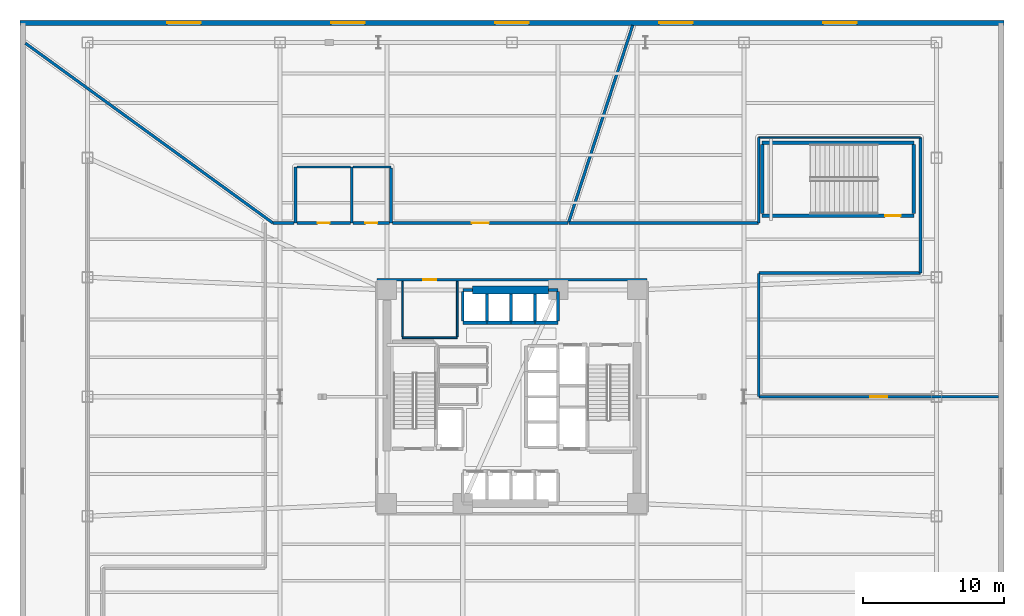
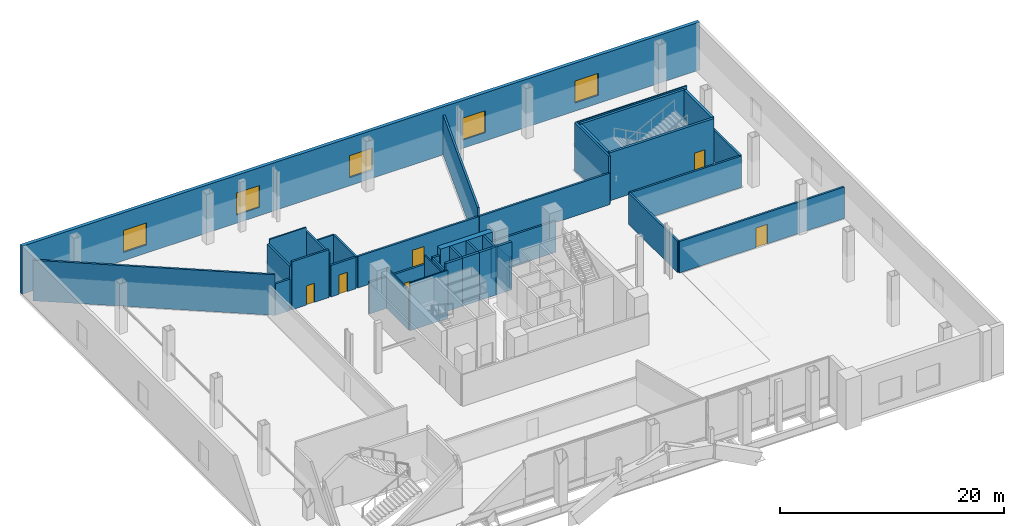
# One storey, part 10 of 19: 39 walls, 6 doors, 5 windows, 11 openings.
"""IFC4 building model written with IfcOpenShell, lengths in metres."""

from ifc_helpers import new_model, si_unit, direction, frame, frame_2d, origin, place, context, subcontext, project, spatial, rectangle, extrude, material, layer, layer_set, type_object, element, fill, save


model = new_model("IFC4")

# Units and contexts
model_context = context("Model", 3, precision=1e-05, world=origin(), true_north=direction((0.0, 1.0)))
body_context = subcontext(model_context, "Body", "Model", "MODEL_VIEW")
ifc_project = project(units=[si_unit("LENGTHUNIT", "METRE"), si_unit("AREAUNIT", "SQUARE_METRE"), si_unit("VOLUMEUNIT", "CUBIC_METRE"), si_unit("PLANEANGLEUNIT", "RADIAN"), si_unit("MASSUNIT", "GRAM", prefix="KILO")], contexts=[model_context])

# Site, building, storey
site_placement = place(None, origin())
site = spatial("IfcSite", under=ifc_project, at=site_placement, CompositionType="ELEMENT")
building_placement = place(site_placement, origin())
building = spatial("IfcBuilding", under=site, at=building_placement, Name="Tharavind Bronze Gate", CompositionType="ELEMENT")
storey_placement = place(building_placement, frame((0.0, 0.0, 11.0)))
storey = spatial("IfcBuildingStorey", under=building, at=storey_placement, Name="L02", CompositionType="ELEMENT", Elevation=11.0)

# Wall, openings, windows
ifc_material_1 = material(Name="Concrete C40/50", Category="concrete")
ifc_layer_1 = layer(ifc_material_1, 0.35009765625)
ifc_layer_set_1 = layer_set([ifc_layer_1], Name="Concrete C40/50")
wall_type_1 = type_object("IfcWallType", Name="EXTERIOR SPANDREL WALL 350", PredefinedType="STANDARD", material=ifc_layer_set_1)
wall_1_placement = place(storey_placement, frame((35.0, 26.60009765625, 0.0), z_axis=(0.0, 0.0, 1.0), x_axis=(-1.0, 0.0, 0.0)))
wall_1 = element("IfcWall", 1, at=wall_1_placement, inside=storey, type_object=wall_type_1, Name="L02 podium north facade wall", PredefinedType="STANDARD", context=body_context, shape_type="SweptSolid", body=[
    extrude(rectangle(XDim=70.0, YDim=0.35009765625, at=frame_2d((35.0, 0.0))), origin(), (0.0, 0.0, 1.0), 5.239990234375),
])
opening_1_placement = place(wall_1_placement, frame((10.467041015625, 0.0, 0.89990234375)))
opening_1 = element("IfcOpeningElement", 2, at=opening_1_placement, cuts=wall_1, Name="Opening W03", PredefinedType="OPENING", context=body_context, shape_type="SweptSolid", body=[
    extrude(rectangle(XDim=2.39990234375, YDim=2.39990234375, at=frame_2d((1.199951171875, 1.199951171875))), frame((0.0, 0.185048828125, 0.0), z_axis=(0.0, -1.0, 0.0), x_axis=(1.0, 0.0, 0.0)), (0.0, 0.0, 1.0), 0.37009765625),
])
opening_2_placement = place(wall_1_placement, frame((22.133056640625, 0.0, 0.89990234375)))
opening_2 = element("IfcOpeningElement", 3, at=opening_2_placement, cuts=wall_1, Name="Opening W03", PredefinedType="OPENING", context=body_context, shape_type="SweptSolid", body=[
    extrude(rectangle(XDim=2.39990234375, YDim=2.39990234375, at=frame_2d((1.199951171875, 1.199951171875))), frame((0.0, 0.185048828125, 0.0), z_axis=(0.0, -1.0, 0.0), x_axis=(1.0, 0.0, 0.0)), (0.0, 0.0, 1.0), 0.37009765625),
])
opening_3_placement = place(wall_1_placement, frame((33.800048828125, 0.0, 0.89990234375)))
opening_3 = element("IfcOpeningElement", 4, at=opening_3_placement, cuts=wall_1, Name="Opening W03", PredefinedType="OPENING", context=body_context, shape_type="SweptSolid", body=[
    extrude(rectangle(XDim=2.39990234375, YDim=2.39990234375, at=frame_2d((1.199951171875, 1.199951171875))), frame((0.0, 0.185048828125, 0.0), z_axis=(0.0, -1.0, 0.0), x_axis=(1.0, 0.0, 0.0)), (0.0, 0.0, 1.0), 0.37009765625),
])
opening_4_placement = place(wall_1_placement, frame((45.467041015625, 0.0, 0.89990234375)))
opening_4 = element("IfcOpeningElement", 5, at=opening_4_placement, cuts=wall_1, Name="Opening W03", PredefinedType="OPENING", context=body_context, shape_type="SweptSolid", body=[
    extrude(rectangle(XDim=2.39990234375, YDim=2.39990234375, at=frame_2d((1.199951171875, 1.199951171875))), frame((0.0, 0.185048828125, 0.0), z_axis=(0.0, -1.0, 0.0), x_axis=(1.0, 0.0, 0.0)), (0.0, 0.0, 1.0), 0.37009765625),
])
opening_5_placement = place(wall_1_placement, frame((57.133056640625, 0.0, 0.89990234375)))
opening_5 = element("IfcOpeningElement", 6, at=opening_5_placement, cuts=wall_1, Name="Opening W03", PredefinedType="OPENING", context=body_context, shape_type="SweptSolid", body=[
    extrude(rectangle(XDim=2.39990234375, YDim=2.39990234375, at=frame_2d((1.199951171875, 1.199951171875))), frame((0.0, 0.185048828125, 0.0), z_axis=(0.0, -1.0, 0.0), x_axis=(1.0, 0.0, 0.0)), (0.0, 0.0, 1.0), 0.37009765625),
])
ifc_material_2 = material(Name="Bronze Aluminium & Low-E Glass", Category="aluminium")
window_type = type_object("IfcWindowType", Name="PODIUM RIBBON BRONZE WINDOW 2400X2400", PartitioningType="TRIPLE_PANEL_VERTICAL", PredefinedType="WINDOW", material=ifc_material_2)
window_1_placement = place(opening_1_placement, origin())
window_1 = element("IfcWindow", 7, at=window_1_placement, inside=storey, type_object=window_type, Name="L02 exterior window WL-L02-NO-01", OverallHeight=2.39990234375, OverallWidth=2.39990234375, PartitioningType="SINGLE_PANEL", PredefinedType="WINDOW", context=body_context, shape_type="SweptSolid", body=[
    extrude(rectangle(XDim=2.39990234375, YDim=2.39990234375, at=frame_2d((1.199951171875, 1.199951171875))), frame((0.0, 0.030029296875, 0.0), z_axis=(0.0, -1.0, 0.0), x_axis=(1.0, 0.0, 0.0)), (0.0, 0.0, 1.0), 0.06005859375),
])
fill(opening_1, window_1)
window_2_placement = place(opening_2_placement, origin())
window_2 = element("IfcWindow", 8, at=window_2_placement, inside=storey, type_object=window_type, Name="L02 exterior window WL-L02-NO-02", OverallHeight=2.39990234375, OverallWidth=2.39990234375, PartitioningType="SINGLE_PANEL", PredefinedType="WINDOW", context=body_context, shape_type="SweptSolid", body=[
    extrude(rectangle(XDim=2.39990234375, YDim=2.39990234375, at=frame_2d((1.199951171875, 1.199951171875))), frame((0.0, 0.030029296875, 0.0), z_axis=(0.0, -1.0, 0.0), x_axis=(1.0, 0.0, 0.0)), (0.0, 0.0, 1.0), 0.06005859375),
])
fill(opening_2, window_2)
window_3_placement = place(opening_3_placement, origin())
window_3 = element("IfcWindow", 9, at=window_3_placement, inside=storey, type_object=window_type, Name="L02 exterior window WL-L02-NO-03", OverallHeight=2.39990234375, OverallWidth=2.39990234375, PartitioningType="SINGLE_PANEL", PredefinedType="WINDOW", context=body_context, shape_type="SweptSolid", body=[
    extrude(rectangle(XDim=2.39990234375, YDim=2.39990234375, at=frame_2d((1.199951171875, 1.199951171875))), frame((0.0, 0.030029296875, 0.0), z_axis=(0.0, -1.0, 0.0), x_axis=(1.0, 0.0, 0.0)), (0.0, 0.0, 1.0), 0.06005859375),
])
fill(opening_3, window_3)
window_4_placement = place(opening_4_placement, origin())
window_4 = element("IfcWindow", 10, at=window_4_placement, inside=storey, type_object=window_type, Name="L02 exterior window WL-L02-NO-04", OverallHeight=2.39990234375, OverallWidth=2.39990234375, PartitioningType="SINGLE_PANEL", PredefinedType="WINDOW", context=body_context, shape_type="SweptSolid", body=[
    extrude(rectangle(XDim=2.39990234375, YDim=2.39990234375, at=frame_2d((1.199951171875, 1.199951171875))), frame((0.0, 0.030029296875, 0.0), z_axis=(0.0, -1.0, 0.0), x_axis=(1.0, 0.0, 0.0)), (0.0, 0.0, 1.0), 0.06005859375),
])
fill(opening_4, window_4)
window_5_placement = place(opening_5_placement, origin())
window_5 = element("IfcWindow", 11, at=window_5_placement, inside=storey, type_object=window_type, Name="L02 exterior window WL-L02-NO-05", OverallHeight=2.39990234375, OverallWidth=2.39990234375, PartitioningType="SINGLE_PANEL", PredefinedType="WINDOW", context=body_context, shape_type="SweptSolid", body=[
    extrude(rectangle(XDim=2.39990234375, YDim=2.39990234375, at=frame_2d((1.199951171875, 1.199951171875))), frame((0.0, 0.030029296875, 0.0), z_axis=(0.0, -1.0, 0.0), x_axis=(1.0, 0.0, 0.0)), (0.0, 0.0, 1.0), 0.06005859375),
])
fill(opening_5, window_5)

# Wall, opening, door
ifc_material_3 = material(Name="Aerated Concrete Block", Category="concrete")
ifc_layer_2 = layer(ifc_material_3, 0.199951171875)
ifc_layer_set_2 = layer_set([ifc_layer_2], Name="Aerated Concrete Block")
wall_type_2 = type_object("IfcWallType", Name="FIRE RATED PARTITION 200", PredefinedType="PARTITIONING", material=ifc_layer_set_2)
wall_2_placement = place(storey_placement, frame((9.6201171875, 8.320068359375, 0.0), z_axis=(0.0, 0.0, 1.0), x_axis=(-1.0, 0.0, 0.0)))
wall_2 = element("IfcWall", 12, at=wall_2_placement, inside=storey, type_object=wall_type_2, Name="L02 north core corridor wall", PredefinedType="PARTITIONING", context=body_context, shape_type="SweptSolid", body=[
    extrude(rectangle(XDim=19.240234375, YDim=0.199951171875, at=frame_2d((9.6201171875, 0.0))), origin(), (0.0, 0.0, 1.0), 3.43505859375),
])
opening_6_placement = place(wall_2_placement, frame((15.02001953125, 0.0, 0.0)))
opening_6 = element("IfcOpeningElement", 13, at=opening_6_placement, cuts=wall_2, Name="Opening ID07", PredefinedType="OPENING", context=body_context, shape_type="SweptSolid", body=[
    extrude(rectangle(XDim=0.89990234375, YDim=2.10009765625, at=frame_2d((0.449951171875, 1.050048828125))), frame((0.0, 0.11009765625, 0.0), z_axis=(0.0, -1.0, 0.0), x_axis=(1.0, 0.0, 0.0)), (0.0, 0.0, 1.0), 0.219951171875),
])
ifc_material_4 = material(Name="Galvanised Fire Steel", Category="steel")
door_type_1 = type_object("IfcDoorType", Name="PLANT AND RISER FIRE DOOR 900X2100", OperationType="SINGLE_SWING_LEFT", PredefinedType="DOOR", material=ifc_material_4)
door_1_placement = place(opening_6_placement, frame((0.89990234375, 0.0, 0.0), z_axis=(0.0, 0.0, 1.0), x_axis=(-1.0, 0.0, 0.0)))
door_1 = element("IfcDoor", 14, at=door_1_placement, inside=storey, type_object=door_type_1, Name="L02 Electrical Switch Room fire door", OperationType="SINGLE_SWING_LEFT", OverallHeight=2.10009765625, OverallWidth=0.89990234375, PredefinedType="DOOR", context=body_context, shape_type="SweptSolid", body=[
    extrude(rectangle(XDim=0.89990234375, YDim=2.10009765625, at=frame_2d((0.449951171875, 1.050048828125))), frame((0.0, 0.02490234375, 0.0), z_axis=(0.0, -1.0, 0.0), x_axis=(1.0, 0.0, 0.0)), (0.0, 0.0, 1.0), 0.050048828125),
])
fill(opening_6, door_1)

# Walls
wall_3_placement = place(storey_placement, frame((-11.39990234375, 12.35009765625, 0.0), z_axis=(0.0, 0.0, 1.0), x_axis=(0.0, 1.0, 0.0)))
element("IfcWall", 15, at=wall_3_placement, inside=storey, type_object=wall_type_2, Name="L02 Accessible Toilet partition", PredefinedType="PARTITIONING", context=body_context, shape_type="SweptSolid", body=[
    extrude(rectangle(XDim=4.0, YDim=0.199951171875, at=frame_2d((2.0, 0.0))), origin(), (0.0, 0.0, 1.0), 4.784912109375),
])
wall_4_placement = place(storey_placement, frame((-8.60009765625, 16.27001953125, 0.0), z_axis=(0.0, 0.0, 1.0), x_axis=(0.0, -1.0, 0.0)))
element("IfcWall", 16, at=wall_4_placement, inside=storey, type_object=wall_type_2, Name="L02 Accessible Toilet partition", PredefinedType="PARTITIONING", context=body_context, shape_type="SweptSolid", body=[
    extrude(rectangle(XDim=3.919921875, YDim=0.199951171875, at=frame_2d((1.9599609375, 0.0))), origin(), (0.0, 0.0, 1.0), 3.43505859375),
])

# Wall, opening, door
wall_5_placement = place(storey_placement, frame((-8.705078125, 12.35009765625, 0.0), z_axis=(0.0, 0.0, 1.0), x_axis=(-1.0, 0.0, 0.0)))
wall_5 = element("IfcWall", 17, at=wall_5_placement, inside=storey, type_object=wall_type_2, Name="L02 Accessible Toilet partition", PredefinedType="PARTITIONING", context=body_context, shape_type="SweptSolid", body=[
    extrude(rectangle(XDim=2.58984375, YDim=0.199951171875, at=frame_2d((1.294921875, 0.0))), origin(), (0.0, 0.0, 1.0), 3.43505859375),
])
opening_7_placement = place(wall_5_placement, frame((0.8701171875, 0.0, 0.0)))
opening_7 = element("IfcOpeningElement", 18, at=opening_7_placement, cuts=wall_5, Name="Opening ID06", PredefinedType="OPENING", context=body_context, shape_type="SweptSolid", body=[
    extrude(rectangle(XDim=0.85009765625, YDim=2.10009765625, at=frame_2d((0.425048828125, 1.050048828125))), frame((0.0, 0.11009765625, 0.0), z_axis=(0.0, -1.0, 0.0), x_axis=(1.0, 0.0, 0.0)), (0.0, 0.0, 1.0), 0.219951171875),
])
ifc_material_5 = material(Name="Moisture-Resistant Timber", Category="wood")
door_type_2 = type_object("IfcDoorType", Name="BATHROOM PRIVACY DOOR 850X2100", OperationType="SINGLE_SWING_RIGHT", PredefinedType="DOOR", material=ifc_material_5)
door_2_placement = place(opening_7_placement, origin())
door_2 = element("IfcDoor", 19, at=door_2_placement, inside=storey, type_object=door_type_2, Name="L02 Accessible Toilet door", OperationType="SINGLE_SWING_RIGHT", OverallHeight=2.10009765625, OverallWidth=0.85009765625, PredefinedType="DOOR", context=body_context, shape_type="SweptSolid", body=[
    extrude(rectangle(XDim=0.85009765625, YDim=2.10009765625, at=frame_2d((0.425048828125, 1.050048828125))), frame((0.0, 0.02490234375, 0.0), z_axis=(0.0, -1.0, 0.0), x_axis=(1.0, 0.0, 0.0)), (0.0, 0.0, 1.0), 0.050048828125),
])
fill(opening_7, door_2)

# Wall
wall_6_placement = place(storey_placement, frame((-15.39990234375, 12.35009765625, 0.0), z_axis=(0.0, 0.0, 1.0), x_axis=(0.0, 1.0, 0.0)))
element("IfcWall", 20, at=wall_6_placement, inside=storey, type_object=wall_type_2, Name="L02 Public Washroom partition", PredefinedType="PARTITIONING", context=body_context, shape_type="SweptSolid", body=[
    extrude(rectangle(XDim=4.0, YDim=0.199951171875, at=frame_2d((2.0, 0.0))), origin(), (0.0, 0.0, 1.0), 4.784912109375),
])

# Wall, opening, door
wall_7_placement = place(storey_placement, frame((-11.5048828125, 12.35009765625, 0.0), z_axis=(0.0, 0.0, 1.0), x_axis=(-1.0, 0.0, 0.0)))
wall_7 = element("IfcWall", 21, at=wall_7_placement, inside=storey, type_object=wall_type_2, Name="L02 Public Washroom partition", PredefinedType="PARTITIONING", context=body_context, shape_type="SweptSolid", body=[
    extrude(rectangle(XDim=3.7900390625, YDim=0.199951171875, at=frame_2d((1.89501953125, 0.0))), origin(), (0.0, 0.0, 1.0), 5.239990234375),
])
opening_8_placement = place(wall_7_placement, frame((1.469970703125, 0.0, 0.0)))
opening_8 = element("IfcOpeningElement", 22, at=opening_8_placement, cuts=wall_7, Name="Opening ID06", PredefinedType="OPENING", context=body_context, shape_type="SweptSolid", body=[
    extrude(rectangle(XDim=0.85009765625, YDim=2.10009765625, at=frame_2d((0.425048828125, 1.050048828125))), frame((0.0, 0.11009765625, 0.0), z_axis=(0.0, -1.0, 0.0), x_axis=(1.0, 0.0, 0.0)), (0.0, 0.0, 1.0), 0.219951171875),
])
door_3_placement = place(opening_8_placement, origin())
door_3 = element("IfcDoor", 23, at=door_3_placement, inside=storey, type_object=door_type_2, Name="L02 Public Washroom door", OperationType="SINGLE_SWING_RIGHT", OverallHeight=2.10009765625, OverallWidth=0.85009765625, PredefinedType="DOOR", context=body_context, shape_type="SweptSolid", body=[
    extrude(rectangle(XDim=0.85009765625, YDim=2.10009765625, at=frame_2d((0.425048828125, 1.050048828125))), frame((0.0, 0.02490234375, 0.0), z_axis=(0.0, -1.0, 0.0), x_axis=(1.0, 0.0, 0.0)), (0.0, 0.0, 1.0), 0.050048828125),
])
fill(opening_8, door_3)

# Walls
wall_8_placement = place(storey_placement, frame((17.550048828125, 18.449462890625, 0.0), z_axis=(0.0, 0.0, 1.0), x_axis=(0.0, -1.0, 0.0)))
element("IfcWall", 24, at=wall_8_placement, inside=storey, type_object=wall_type_2, Name="L02 Arch Overlook Reading Gallery partition", PredefinedType="PARTITIONING", context=body_context, shape_type="SweptSolid", body=[
    extrude(rectangle(XDim=6.074462890625, YDim=0.199951171875, at=frame_2d((3.037109375, 0.0))), origin(), (0.0, 0.0, 1.0), 5.239990234375),
])
wall_9_placement = place(storey_placement, frame((17.52490234375, 12.35009765625, 0.0), z_axis=(0.0, 0.0, 1.0), x_axis=(-1.0, 0.0, 0.0)))
element("IfcWall", 25, at=wall_9_placement, inside=storey, type_object=wall_type_2, Name="L02 Arch Overlook Reading Gallery partition", PredefinedType="PARTITIONING", context=body_context, shape_type="SweptSolid", body=[
    extrude(rectangle(XDim=13.477783203125, YDim=0.199951171875, at=frame_2d((6.73876953125, 0.0))), origin(), (0.0, 0.0, 1.0), 3.43505859375),
])
wall_10_placement = place(storey_placement, frame((4.0234375, 12.3828125, 0.0), z_axis=(0.0, 0.0, 1.0), x_axis=(0.309008273832, 0.951059349727, 0.0)))
element("IfcWall", 26, at=wall_10_placement, inside=storey, type_object=wall_type_2, Name="L02 Arch Overlook Reading Gallery partition", PredefinedType="PARTITIONING", context=body_context, shape_type="SweptSolid", body=[
    extrude(rectangle(XDim=14.759521484375, YDim=0.199951171875, at=frame_2d((7.3798828125, 0.0))), origin(), (0.0, 0.0, 1.0), 4.3349609375),
])

# Wall, opening, door
wall_11_placement = place(storey_placement, frame((34.6201171875, 0.0, 0.0), z_axis=(0.0, 0.0, 1.0), x_axis=(-1.0, 0.0, 0.0)))
wall_11 = element("IfcWall", 27, at=wall_11_placement, inside=storey, type_object=wall_type_2, Name="L02 Arch Overlook Reading Gallery partition", PredefinedType="PARTITIONING", context=body_context, shape_type="SweptSolid", body=[
    extrude(rectangle(XDim=17.045166015625, YDim=0.199951171875, at=frame_2d((8.5224609375, 0.0))), origin(), (0.0, 0.0, 1.0), 3.43505859375),
])
opening_9_placement = place(wall_11_placement, frame((7.923095703125, 0.0, 0.0)))
opening_9 = element("IfcOpeningElement", 28, at=opening_9_placement, cuts=wall_11, Name="Opening ID05", PredefinedType="OPENING", context=body_context, shape_type="SweptSolid", body=[
    extrude(rectangle(XDim=1.199951171875, YDim=2.14990234375, at=frame_2d((0.60009765625, 1.074951171875))), frame((0.0, 0.11009765625, 0.0), z_axis=(0.0, -1.0, 0.0), x_axis=(1.0, 0.0, 0.0)), (0.0, 0.0, 1.0), 0.219951171875),
])
ifc_material_6 = material(Name="Acoustic Laminated Glass", Category="glass")
door_type_3 = type_object("IfcDoorType", Name="MEETING ROOM GLAZED DOOR 1200X2150", OperationType="SINGLE_SWING_LEFT", PredefinedType="DOOR", material=ifc_material_6)
door_4_placement = place(opening_9_placement, origin())
door_4 = element("IfcDoor", 29, at=door_4_placement, inside=storey, type_object=door_type_3, Name="L02 Arch Overlook Reading Gallery door", OperationType="SINGLE_SWING_LEFT", OverallHeight=2.14990234375, OverallWidth=1.199951171875, PredefinedType="DOOR", context=body_context, shape_type="SweptSolid", body=[
    extrude(rectangle(XDim=1.199951171875, YDim=2.14990234375, at=frame_2d((0.60009765625, 1.074951171875))), frame((0.0, 0.02490234375, 0.0), z_axis=(0.0, -1.0, 0.0), x_axis=(1.0, 0.0, 0.0)), (0.0, 0.0, 1.0), 0.050048828125),
])
fill(opening_9, door_4)

# Walls
wall_12_placement = place(storey_placement, frame((17.550048828125, 0.02490234375, 0.0), z_axis=(0.0, 0.0, 1.0), x_axis=(0.0, 1.0, 0.0)))
element("IfcWall", 30, at=wall_12_placement, inside=storey, type_object=wall_type_2, Name="L02 Arch Overlook Reading Gallery partition", PredefinedType="PARTITIONING", context=body_context, shape_type="SweptSolid", body=[
    extrude(rectangle(XDim=8.75, YDim=0.199951171875, at=frame_2d((4.375, 0.0))), origin(), (0.0, 0.0, 1.0), 3.43505859375),
])
wall_13_placement = place(storey_placement, frame((17.574951171875, 8.800048828125, 0.0), z_axis=(0.0, 0.0, 1.0), x_axis=(1.0, 0.0, 0.0)))
element("IfcWall", 31, at=wall_13_placement, inside=storey, type_object=wall_type_2, Name="L02 Arch Overlook Reading Gallery partition", PredefinedType="PARTITIONING", context=body_context, shape_type="SweptSolid", body=[
    extrude(rectangle(XDim=11.474365234375, YDim=0.199951171875, at=frame_2d((5.7373046875, 0.0))), origin(), (0.0, 0.0, 1.0), 3.43505859375),
])
wall_14_placement = place(storey_placement, frame((29.050048828125, 8.800537109375, 0.0), z_axis=(0.0, 0.0, 1.0), x_axis=(0.0, 1.0, 0.0)))
element("IfcWall", 32, at=wall_14_placement, inside=storey, type_object=wall_type_2, Name="L02 Arch Overlook Reading Gallery partition", PredefinedType="PARTITIONING", context=body_context, shape_type="SweptSolid", body=[
    extrude(rectangle(XDim=9.64892578125, YDim=0.199951171875, at=frame_2d((4.824462890625, 0.0))), origin(), (0.0, 0.0, 1.0), 3.43505859375),
])

# Wall, opening, door
wall_15_placement = place(storey_placement, frame((3.99462890625, 12.35009765625, 0.0), z_axis=(0.0, 0.0, 1.0), x_axis=(-1.0, 0.0, 0.0)))
wall_15 = element("IfcWall", 33, at=wall_15_placement, inside=storey, type_object=wall_type_2, Name="L02 Conference Room East partition", PredefinedType="PARTITIONING", context=body_context, shape_type="SweptSolid", body=[
    extrude(rectangle(XDim=12.48974609375, YDim=0.199951171875, at=frame_2d((6.244873046875, 0.0))), origin(), (0.0, 0.0, 1.0), 3.43505859375),
])
opening_10_placement = place(wall_15_placement, frame((5.64501953125, 0.0, 0.0)))
opening_10 = element("IfcOpeningElement", 34, at=opening_10_placement, cuts=wall_15, Name="Opening ID05", PredefinedType="OPENING", context=body_context, shape_type="SweptSolid", body=[
    extrude(rectangle(XDim=1.199951171875, YDim=2.14990234375, at=frame_2d((0.60009765625, 1.074951171875))), frame((0.0, 0.11009765625, 0.0), z_axis=(0.0, -1.0, 0.0), x_axis=(1.0, 0.0, 0.0)), (0.0, 0.0, 1.0), 0.219951171875),
])
door_5_placement = place(opening_10_placement, origin())
door_5 = element("IfcDoor", 35, at=door_5_placement, inside=storey, type_object=door_type_3, Name="L02 Conference Room East door", OperationType="SINGLE_SWING_LEFT", OverallHeight=2.14990234375, OverallWidth=1.199951171875, PredefinedType="DOOR", context=body_context, shape_type="SweptSolid", body=[
    extrude(rectangle(XDim=1.199951171875, YDim=2.14990234375, at=frame_2d((0.60009765625, 1.074951171875))), frame((0.0, 0.02490234375, 0.0), z_axis=(0.0, -1.0, 0.0), x_axis=(1.0, 0.0, 0.0)), (0.0, 0.0, 1.0), 0.050048828125),
])
fill(opening_10, door_5)

# Walls
wall_16_placement = place(storey_placement, frame((-15.5048828125, 12.35009765625, 0.0), z_axis=(0.0, 0.0, 1.0), x_axis=(-1.0, 0.0, 0.0)))
element("IfcWall", 36, at=wall_16_placement, inside=storey, type_object=wall_type_2, Name="L02 Conference Room East partition", PredefinedType="PARTITIONING", context=body_context, shape_type="SweptSolid", body=[
    extrude(rectangle(XDim=1.4853515625, YDim=0.199951171875, at=frame_2d((0.74267578125, 0.0))), origin(), (0.0, 0.0, 1.0), 3.43505859375),
])
wall_17_placement = place(storey_placement, frame((-17.0048828125, 12.354736328125, 0.0), z_axis=(0.0, 0.0, 1.0), x_axis=(-0.809019641583, 0.587781608707, 0.0)))
element("IfcWall", 37, at=wall_17_placement, inside=storey, type_object=wall_type_2, Name="L02 Conference Room East partition", PredefinedType="PARTITIONING", context=body_context, shape_type="SweptSolid", body=[
    extrude(rectangle(XDim=21.7734375, YDim=0.199951171875, at=frame_2d((10.88671875, 0.0))), origin(), (0.0, 0.0, 1.0), 4.43505859375),
])
ifc_material_7 = material(Name="Metal Stud Gypsum Partition", Category="gypsum")
ifc_layer_3 = layer(ifc_material_7, 0.1201171875)
ifc_layer_set_3 = layer_set([ifc_layer_3], Name="Metal Stud Gypsum Partition")
wall_type_3 = type_object("IfcWallType", Name="INTERIOR PARTITION WALL 120", PredefinedType="PARTITIONING", material=ifc_layer_set_3)
wall_18_placement = place(storey_placement, frame((-7.800048828125, 4.199951171875, 0.0), z_axis=(0.0, 0.0, 1.0), x_axis=(1.0, 0.0, 0.0)))
element("IfcWall", 38, at=wall_18_placement, inside=storey, type_object=wall_type_3, Name="L02 Electrical Switch Room partition 1", PredefinedType="PARTITIONING", context=body_context, shape_type="SweptSolid", body=[
    extrude(rectangle(XDim=3.900146484375, YDim=0.1201171875, at=frame_2d((1.9501953125, 0.0))), origin(), (0.0, 0.0, 1.0), 5.239990234375),
])
for number, where, z_axis, x_axis, name in (
    (39, (-3.89990234375, 4.264892578125, 0.0), (0.0, 0.0, 1.0), (0.0, 1.0, 0.0), "L02 Electrical Switch Room partition 2"),
    (40, (-7.800048828125, 8.215087890625, 0.0), (0.0, 0.0, 1.0), (0.0, -1.0, 0.0), "L02 Electrical Switch Room partition 4"),
):
    element("IfcWall", number, at=place(storey_placement, frame(where, z_axis=z_axis, x_axis=x_axis)), inside=storey, type_object=wall_type_3, Name=name, PredefinedType="PARTITIONING", context=body_context, shape_type="SweptSolid", body=[
        extrude(rectangle(XDim=3.9501953125, YDim=0.1201171875, at=frame_2d((1.97509765625, 0.0))), origin(), (0.0, 0.0, 1.0), 4.43505859375),
    ])
wall_19_placement = place(storey_placement, frame((29.04931640625, 18.449951171875, 0.0), z_axis=(0.0, 0.0, 1.0), x_axis=(-1.0, 0.0, 0.0)))
element("IfcWall", 41, at=wall_19_placement, inside=storey, type_object=wall_type_3, Name="L02 Arch Overlook Reading Gallery partition", PredefinedType="PARTITIONING", context=body_context, shape_type="SweptSolid", body=[
    extrude(rectangle(XDim=11.498779296875, YDim=0.1201171875, at=frame_2d((5.74951171875, 0.0))), origin(), (0.0, 0.0, 1.0), 5.239990234375),
])
ifc_material_8 = material(Name="Twin Stud Acoustic Gypsum", Category="gypsum")
ifc_layer_4 = layer(ifc_material_8, 0.14990234375)
ifc_layer_set_4 = layer_set([ifc_layer_4], Name="Twin Stud Acoustic Gypsum")
wall_type_4 = type_object("IfcWallType", Name="INTERIOR PARTITION WALL 150", PredefinedType="PARTITIONING", material=ifc_layer_set_4)
wall_20_placement = place(storey_placement, frame((-11.294921875, 16.35009765625, 0.0), z_axis=(0.0, 0.0, 1.0), x_axis=(1.0, 0.0, 0.0)))
element("IfcWall", 42, at=wall_20_placement, inside=storey, type_object=wall_type_4, Name="L02 Accessible Toilet partition", PredefinedType="PARTITIONING", context=body_context, shape_type="SweptSolid", body=[
    extrude(rectangle(XDim=2.69482421875, YDim=0.14990234375, at=frame_2d((1.347412109375, 0.0))), origin(), (0.0, 0.0, 1.0), 3.43505859375),
])
wall_21_placement = place(storey_placement, frame((-15.294921875, 16.35009765625, 0.0), z_axis=(0.0, 0.0, 1.0), x_axis=(1.0, 0.0, 0.0)))
element("IfcWall", 43, at=wall_21_placement, inside=storey, type_object=wall_type_4, Name="L02 Public Washroom partition", PredefinedType="PARTITIONING", context=body_context, shape_type="SweptSolid", body=[
    extrude(rectangle(XDim=3.7900390625, YDim=0.14990234375, at=frame_2d((1.89501953125, 0.0))), origin(), (0.0, 0.0, 1.0), 5.239990234375),
])

# Wall, opening, door
ifc_material_9 = material(Name="Concrete C50/60", Category="concrete")
ifc_layer_5 = layer(ifc_material_9, 0.25)
ifc_layer_set_5 = layer_set([ifc_layer_5], Name="Concrete C50/60")
wall_type_5 = type_object("IfcWallType", Name="RC CORE SHEAR WALL 250", PredefinedType="SHEAR", material=ifc_layer_set_5)
wall_22_placement = place(storey_placement, frame((17.800048828125, 12.8701171875, 0.0), z_axis=(0.0, 0.0, 1.0), x_axis=(1.0, 0.0, 0.0)))
wall_22 = element("IfcWall", 44, at=wall_22_placement, inside=storey, type_object=wall_type_5, Name="L02 ST4 south wall", PredefinedType="SHEAR", context=body_context, shape_type="SweptSolid", body=[
    extrude(rectangle(XDim=10.780029296875, YDim=0.25, at=frame_2d((5.39013671875, 0.0))), origin(), (0.0, 0.0, 1.0), 5.239990234375),
])
opening_11_placement = place(wall_22_placement, frame((8.75, 0.0, 0.0)))
opening_11 = element("IfcOpeningElement", 45, at=opening_11_placement, cuts=wall_22, Name="Opening ID01", PredefinedType="OPENING", context=body_context, shape_type="SweptSolid", body=[
    extrude(rectangle(XDim=1.10009765625, YDim=2.14990234375, at=frame_2d((0.550048828125, 1.074951171875))), frame((0.0, 0.135, 0.0), z_axis=(0.0, -1.0, 0.0), x_axis=(1.0, 0.0, 0.0)), (0.0, 0.0, 1.0), 0.27),
])
ifc_material_10 = material(Name="Fire-Rated Steel", Category="steel")
door_type_4 = type_object("IfcDoorType", Name="STAIR CORE FIRE DOOR 1100X2150", OperationType="SINGLE_SWING_LEFT", PredefinedType="DOOR", material=ifc_material_10)
door_6_placement = place(opening_11_placement, origin())
door_6 = element("IfcDoor", 46, at=door_6_placement, inside=storey, type_object=door_type_4, Name="L02 podium stair ST4 fire door", OperationType="SINGLE_SWING_LEFT", OverallHeight=2.14990234375, OverallWidth=1.10009765625, PredefinedType="DOOR", context=body_context, shape_type="SweptSolid", body=[
    extrude(rectangle(XDim=1.10009765625, YDim=2.14990234375, at=frame_2d((0.550048828125, 1.074951171875))), frame((0.0, 0.02490234375, 0.0), z_axis=(0.0, -1.0, 0.0), x_axis=(1.0, 0.0, 0.0)), (0.0, 0.0, 1.0), 0.050048828125),
])
fill(opening_11, door_6)

# Walls
wall_23_placement = place(storey_placement, frame((17.800048828125, 18.080078125, 0.0), z_axis=(0.0, 0.0, 1.0), x_axis=(1.0, 0.0, 0.0)))
element("IfcWall", 47, at=wall_23_placement, inside=storey, type_object=wall_type_5, Name="L02 ST4 north wall", PredefinedType="SHEAR", context=body_context, shape_type="SweptSolid", body=[
    extrude(rectangle(XDim=10.780029296875, YDim=0.25, at=frame_2d((5.39013671875, 0.0))), origin(), (0.0, 0.0, 1.0), 5.239990234375),
])
for number, where, z_axis, x_axis, name in (
    (48, (17.800048828125, 13.02001953125, 0.0), (0.0, 0.0, 1.0), (0.0, 1.0, 0.0), "L02 ST4 west wall"),
    (49, (28.580078125, 13.02001953125, 0.0), (0.0, 0.0, 1.0), (0.0, 1.0, 0.0), "L02 ST4 east wall"),
):
    element("IfcWall", number, at=place(storey_placement, frame(where, z_axis=z_axis, x_axis=x_axis)), inside=storey, type_object=wall_type_5, Name=name, PredefinedType="SHEAR", context=body_context, shape_type="SweptSolid", body=[
        extrude(rectangle(XDim=4.909912109375, YDim=0.25, at=frame_2d((2.455078125, 0.0))), origin(), (0.0, 0.0, 1.0), 5.239990234375),
    ])
wall_24_placement = place(storey_placement, frame((-3.5, 5.25, 0.0), z_axis=(0.0, 0.0, 1.0), x_axis=(1.0, 0.0, 0.0)))
element("IfcWall", 50, at=wall_24_placement, inside=storey, type_object=wall_type_5, Name="L02 lift PL5 shaft front wall", PredefinedType="SHEAR", context=body_context, shape_type="SweptSolid", body=[
    extrude(rectangle(XDim=1.71240234375, YDim=0.25, at=frame_2d((0.856201171875, 0.0))), origin(), (0.0, 0.0, 1.0), 5.239990234375),
])
wall_25_placement = place(storey_placement, frame((-1.78759765625, 5.25, 0.0), z_axis=(0.0, 0.0, 1.0), x_axis=(1.0, 0.0, 0.0)))
element("IfcWall", 51, at=wall_25_placement, inside=storey, type_object=wall_type_5, Name="L02 lift PL6 shaft front wall", PredefinedType="SHEAR", context=body_context, shape_type="SweptSolid", body=[
    extrude(rectangle(XDim=1.712646484375, YDim=0.25, at=frame_2d((0.8564453125, 0.0))), origin(), (0.0, 0.0, 1.0), 5.239990234375),
])
wall_26_placement = place(storey_placement, frame((-0.074951171875, 5.25, 0.0), z_axis=(0.0, 0.0, 1.0), x_axis=(1.0, 0.0, 0.0)))
element("IfcWall", 52, at=wall_26_placement, inside=storey, type_object=wall_type_5, Name="L02 lift PL7 shaft front wall", PredefinedType="SHEAR", context=body_context, shape_type="SweptSolid", body=[
    extrude(rectangle(XDim=1.71240234375, YDim=0.25, at=frame_2d((0.856201171875, 0.0))), origin(), (0.0, 0.0, 1.0), 5.239990234375),
])
wall_27_placement = place(storey_placement, frame((1.637451171875, 5.25, 0.0), z_axis=(0.0, 0.0, 1.0), x_axis=(1.0, 0.0, 0.0)))
element("IfcWall", 53, at=wall_27_placement, inside=storey, type_object=wall_type_5, Name="L02 lift PL8 shaft front wall", PredefinedType="SHEAR", context=body_context, shape_type="SweptSolid", body=[
    extrude(rectangle(XDim=1.642578125, YDim=0.25, at=frame_2d((0.8212890625, 0.0))), origin(), (0.0, 0.0, 1.0), 5.239990234375),
])
ifc_material_11 = material(Name="Concrete C60/75", Category="concrete")
ifc_layer_6 = layer(ifc_material_11, 0.550048828125)
ifc_layer_set_6 = layer_set([ifc_layer_6], Name="Concrete C60/75")
wall_type_6 = type_object("IfcWallType", Name="RC CORE SHEAR WALL 550", PredefinedType="SHEAR", material=ifc_layer_set_6)
wall_28_placement = place(storey_placement, frame((-2.800048828125, 7.60009765625, 0.0), z_axis=(0.0, 0.0, 1.0), x_axis=(1.0, 0.0, 0.0)))
element("IfcWall", 54, at=wall_28_placement, inside=storey, type_object=wall_type_6, Name="L02 north core shear wall", PredefinedType="SHEAR", context=body_context, shape_type="SweptSolid", body=[
    extrude(rectangle(XDim=5.380126953125, YDim=0.550048828125, at=frame_2d((2.68994140625, 0.0))), origin(), (0.0, 0.0, 1.0), 5.239990234375),
])
ifc_layer_7 = layer(ifc_material_1, 0.199951171875)
ifc_layer_set_7 = layer_set([ifc_layer_7], Name="Concrete C40/50")
wall_type_7 = type_object("IfcWallType", Name="SHAFT ENCLOSURE WALL 200", PredefinedType="PARTITIONING", material=ifc_layer_set_7)
wall_29_placement = place(storey_placement, frame((-3.5, 7.60009765625, 0.0), z_axis=(0.0, 0.0, 1.0), x_axis=(1.0, 0.0, 0.0)))
element("IfcWall", 55, at=wall_29_placement, inside=storey, type_object=wall_type_7, Name="L02 lift PL5 shaft N enclosure wall", PredefinedType="PARTITIONING", context=body_context, shape_type="SweptSolid", body=[
    extrude(rectangle(XDim=0.699951171875, YDim=0.199951171875, at=frame_2d((0.35009765625, 0.0))), origin(), (0.0, 0.0, 1.0), 4.43505859375),
])
wall_30_placement = place(storey_placement, frame((-3.5, 5.3798828125, 0.0), z_axis=(0.0, 0.0, 1.0), x_axis=(0.0, 1.0, 0.0)))
element("IfcWall", 56, at=wall_30_placement, inside=storey, type_object=wall_type_7, Name="L02 lift PL5 shaft W enclosure wall", PredefinedType="PARTITIONING", context=body_context, shape_type="SweptSolid", body=[
    extrude(rectangle(XDim=2.115234375, YDim=0.199951171875, at=frame_2d((1.0576171875, 0.0))), origin(), (0.0, 0.0, 1.0), 4.43505859375),
])
for number, where, z_axis, x_axis, name in (
    (57, (-1.78759765625, 5.3798828125, 0.0), (0.0, 0.0, 1.0), (0.0, 1.0, 0.0), "L02 lift PL5 shaft E enclosure wall"),
    (58, (-0.074951171875, 5.3798828125, 0.0), (0.0, 0.0, 1.0), (0.0, 1.0, 0.0), "L02 lift PL6 shaft E enclosure wall"),
    (59, (1.637451171875, 5.3798828125, 0.0), (0.0, 0.0, 1.0), (0.0, 1.0, 0.0), "L02 lift PL7 shaft E enclosure wall"),
):
    element("IfcWall", number, at=place(storey_placement, frame(where, z_axis=z_axis, x_axis=x_axis)), inside=storey, type_object=wall_type_7, Name=name, PredefinedType="PARTITIONING", context=body_context, shape_type="SweptSolid", body=[
        extrude(rectangle(XDim=1.940185546875, YDim=0.199951171875, at=frame_2d((0.97021484375, 0.0))), origin(), (0.0, 0.0, 1.0), 5.239990234375),
    ])
wall_31_placement = place(storey_placement, frame((2.580078125, 7.60009765625, 0.0), z_axis=(0.0, 0.0, 1.0), x_axis=(1.0, 0.0, 0.0)))
element("IfcWall", 60, at=wall_31_placement, inside=storey, type_object=wall_type_7, Name="L02 lift PL8 shaft N enclosure wall", PredefinedType="PARTITIONING", context=body_context, shape_type="SweptSolid", body=[
    extrude(rectangle(XDim=0.699951171875, YDim=0.199951171875, at=frame_2d((0.35009765625, 0.0))), origin(), (0.0, 0.0, 1.0), 3.43505859375),
])
wall_32_placement = place(storey_placement, frame((3.280029296875, 5.3798828125, 0.0), z_axis=(0.0, 0.0, 1.0), x_axis=(0.0, 1.0, 0.0)))
element("IfcWall", 61, at=wall_32_placement, inside=storey, type_object=wall_type_7, Name="L02 lift PL8 shaft E enclosure wall", PredefinedType="PARTITIONING", context=body_context, shape_type="SweptSolid", body=[
    extrude(rectangle(XDim=2.115234375, YDim=0.199951171875, at=frame_2d((1.0576171875, 0.0))), origin(), (0.0, 0.0, 1.0), 3.43505859375),
])

save(model, "model.ifc")
